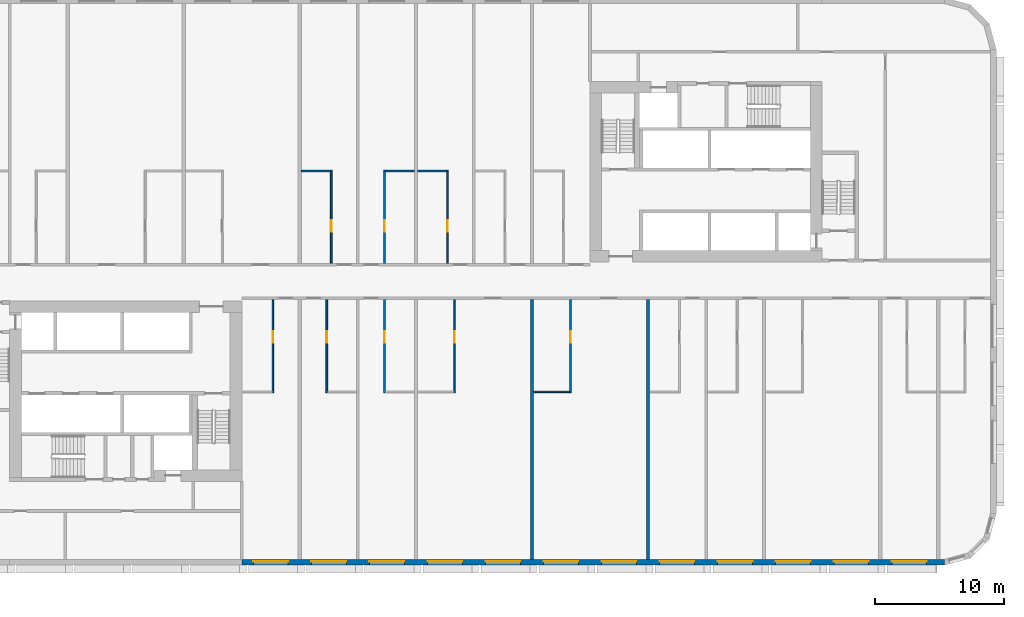
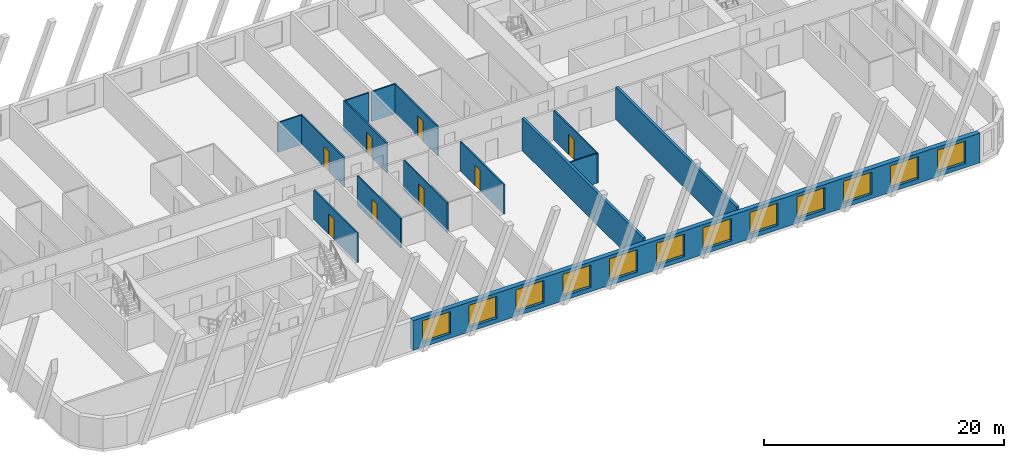
# One storey, part 4 of 13: 15 walls, 12 windows, 8 doors, 20 openings.
"""IFC4 building model written with IfcOpenShell, lengths in metres."""

from ifc_helpers import new_model, si_unit, direction, frame, frame_2d, origin, place, context, subcontext, project, spatial, rectangle, extrude, material, layer, layer_set, type_object, element, fill, save


model = new_model("IFC4")

# Units and contexts
model_context = context("Model", 3, precision=1e-05, world=origin(), true_north=direction((0.0, 1.0)))
body_context = subcontext(model_context, "Body", "Model", "MODEL_VIEW")
ifc_project = project(units=[si_unit("LENGTHUNIT", "METRE"), si_unit("AREAUNIT", "SQUARE_METRE"), si_unit("VOLUMEUNIT", "CUBIC_METRE"), si_unit("PLANEANGLEUNIT", "RADIAN"), si_unit("MASSUNIT", "GRAM", prefix="KILO")], contexts=[model_context])

# Site, building, storey
site_placement = place(None, origin())
site = spatial("IfcSite", under=ifc_project, at=site_placement, CompositionType="ELEMENT")
building_placement = place(site_placement, origin())
building = spatial("IfcBuilding", under=site, at=building_placement, Name="Kajstack Hotel Tower", CompositionType="ELEMENT")
storey_placement = place(building_placement, frame((0.0, 0.0, 69.89990234375)))
storey = spatial("IfcBuildingStorey", under=building, at=storey_placement, Name="L12", CompositionType="ELEMENT", Elevation=69.89990234375)

# Wall, openings, windows
ifc_material_1 = material(Name="Terracotta-faced brick masonry", Category="masonry")
ifc_layer_1 = layer(ifc_material_1, 0.449951171875)
ifc_layer_set_1 = layer_set([ifc_layer_1], Name="EW-TERRA")
wall_type_1 = type_object("IfcWallType", Name="EW-TERRA", PredefinedType="SOLIDWALL", material=ifc_layer_set_1)
wall_1_placement = place(storey_placement, frame((-13.5, -21.77490234375, 0.0), z_axis=(0.0, 0.0, 1.0), x_axis=(1.0, 0.0, 0.0)))
wall_1 = element("IfcWall", 1, at=wall_1_placement, inside=storey, type_object=wall_type_1, Name="E-wall-L12-03-02", PredefinedType="SOLIDWALL", context=body_context, shape_type="SweptSolid", body=[
    extrude(rectangle(XDim=54.5, YDim=0.449951171875, at=frame_2d((27.25, 0.0))), origin(), (0.0, 0.0, 1.0), 3.02001953125),
])
opening_1_placement = place(wall_1_placement, frame((0.89990234375, 0.0, 0.449951171875)))
opening_1 = element("IfcOpeningElement", 2, at=opening_1_placement, cuts=wall_1, Name="Opening W1", PredefinedType="OPENING", context=body_context, shape_type="SweptSolid", body=[
    extrude(rectangle(XDim=2.699951171875, YDim=2.25, at=frame_2d((1.35009765625, 1.125))), frame((0.0, 0.23486328125, 0.0), z_axis=(0.0, -1.0, 0.0), x_axis=(1.0, 0.0, 0.0)), (0.0, 0.0, 1.0), 0.469970703125),
])
opening_2_placement = place(wall_1_placement, frame((5.39990234375, 0.0, 0.449951171875)))
opening_2 = element("IfcOpeningElement", 3, at=opening_2_placement, cuts=wall_1, Name="Opening W1", PredefinedType="OPENING", context=body_context, shape_type="SweptSolid", body=[
    extrude(rectangle(XDim=2.699951171875, YDim=2.25, at=frame_2d((1.35009765625, 1.125))), frame((0.0, 0.23486328125, 0.0), z_axis=(0.0, -1.0, 0.0), x_axis=(1.0, 0.0, 0.0)), (0.0, 0.0, 1.0), 0.469970703125),
])
opening_3_placement = place(wall_1_placement, frame((9.89990234375, 0.0, 0.449951171875)))
opening_3 = element("IfcOpeningElement", 4, at=opening_3_placement, cuts=wall_1, Name="Opening W1", PredefinedType="OPENING", context=body_context, shape_type="SweptSolid", body=[
    extrude(rectangle(XDim=2.699951171875, YDim=2.25, at=frame_2d((1.35009765625, 1.125))), frame((0.0, 0.23486328125, 0.0), z_axis=(0.0, -1.0, 0.0), x_axis=(1.0, 0.0, 0.0)), (0.0, 0.0, 1.0), 0.469970703125),
])
opening_4_placement = place(wall_1_placement, frame((14.39990234375, 0.0, 0.449951171875)))
opening_4 = element("IfcOpeningElement", 5, at=opening_4_placement, cuts=wall_1, Name="Opening W1", PredefinedType="OPENING", context=body_context, shape_type="SweptSolid", body=[
    extrude(rectangle(XDim=2.699951171875, YDim=2.25, at=frame_2d((1.35009765625, 1.125))), frame((0.0, 0.23486328125, 0.0), z_axis=(0.0, -1.0, 0.0), x_axis=(1.0, 0.0, 0.0)), (0.0, 0.0, 1.0), 0.469970703125),
])
opening_5_placement = place(wall_1_placement, frame((18.89990234375, 0.0, 0.449951171875)))
opening_5 = element("IfcOpeningElement", 6, at=opening_5_placement, cuts=wall_1, Name="Opening W1", PredefinedType="OPENING", context=body_context, shape_type="SweptSolid", body=[
    extrude(rectangle(XDim=2.699951171875, YDim=2.25, at=frame_2d((1.35009765625, 1.125))), frame((0.0, 0.23486328125, 0.0), z_axis=(0.0, -1.0, 0.0), x_axis=(1.0, 0.0, 0.0)), (0.0, 0.0, 1.0), 0.469970703125),
])
opening_6_placement = place(wall_1_placement, frame((23.39990234375, 0.0, 0.449951171875)))
opening_6 = element("IfcOpeningElement", 7, at=opening_6_placement, cuts=wall_1, Name="Opening W1", PredefinedType="OPENING", context=body_context, shape_type="SweptSolid", body=[
    extrude(rectangle(XDim=2.699951171875, YDim=2.25, at=frame_2d((1.35009765625, 1.125))), frame((0.0, 0.23486328125, 0.0), z_axis=(0.0, -1.0, 0.0), x_axis=(1.0, 0.0, 0.0)), (0.0, 0.0, 1.0), 0.469970703125),
])
opening_7_placement = place(wall_1_placement, frame((27.89990234375, 0.0, 0.449951171875)))
opening_7 = element("IfcOpeningElement", 8, at=opening_7_placement, cuts=wall_1, Name="Opening W1", PredefinedType="OPENING", context=body_context, shape_type="SweptSolid", body=[
    extrude(rectangle(XDim=2.699951171875, YDim=2.25, at=frame_2d((1.35009765625, 1.125))), frame((0.0, 0.23486328125, 0.0), z_axis=(0.0, -1.0, 0.0), x_axis=(1.0, 0.0, 0.0)), (0.0, 0.0, 1.0), 0.469970703125),
])
opening_8_placement = place(wall_1_placement, frame((32.39990234375, 0.0, 0.449951171875)))
opening_8 = element("IfcOpeningElement", 9, at=opening_8_placement, cuts=wall_1, Name="Opening W1", PredefinedType="OPENING", context=body_context, shape_type="SweptSolid", body=[
    extrude(rectangle(XDim=2.699951171875, YDim=2.25, at=frame_2d((1.35009765625, 1.125))), frame((0.0, 0.23486328125, 0.0), z_axis=(0.0, -1.0, 0.0), x_axis=(1.0, 0.0, 0.0)), (0.0, 0.0, 1.0), 0.469970703125),
])
opening_9_placement = place(wall_1_placement, frame((36.89990234375, 0.0, 0.449951171875)))
opening_9 = element("IfcOpeningElement", 10, at=opening_9_placement, cuts=wall_1, Name="Opening W1", PredefinedType="OPENING", context=body_context, shape_type="SweptSolid", body=[
    extrude(rectangle(XDim=2.699951171875, YDim=2.25, at=frame_2d((1.35009765625, 1.125))), frame((0.0, 0.23486328125, 0.0), z_axis=(0.0, -1.0, 0.0), x_axis=(1.0, 0.0, 0.0)), (0.0, 0.0, 1.0), 0.469970703125),
])
opening_10_placement = place(wall_1_placement, frame((41.39990234375, 0.0, 0.449951171875)))
opening_10 = element("IfcOpeningElement", 11, at=opening_10_placement, cuts=wall_1, Name="Opening W1", PredefinedType="OPENING", context=body_context, shape_type="SweptSolid", body=[
    extrude(rectangle(XDim=2.699951171875, YDim=2.25, at=frame_2d((1.35009765625, 1.125))), frame((0.0, 0.23486328125, 0.0), z_axis=(0.0, -1.0, 0.0), x_axis=(1.0, 0.0, 0.0)), (0.0, 0.0, 1.0), 0.469970703125),
])
opening_11_placement = place(wall_1_placement, frame((45.89990234375, 0.0, 0.449951171875)))
opening_11 = element("IfcOpeningElement", 12, at=opening_11_placement, cuts=wall_1, Name="Opening W1", PredefinedType="OPENING", context=body_context, shape_type="SweptSolid", body=[
    extrude(rectangle(XDim=2.699951171875, YDim=2.25, at=frame_2d((1.35009765625, 1.125))), frame((0.0, 0.23486328125, 0.0), z_axis=(0.0, -1.0, 0.0), x_axis=(1.0, 0.0, 0.0)), (0.0, 0.0, 1.0), 0.469970703125),
])
opening_12_placement = place(wall_1_placement, frame((50.39990234375, 0.0, 0.449951171875)))
opening_12 = element("IfcOpeningElement", 13, at=opening_12_placement, cuts=wall_1, Name="Opening W1", PredefinedType="OPENING", context=body_context, shape_type="SweptSolid", body=[
    extrude(rectangle(XDim=2.699951171875, YDim=2.25, at=frame_2d((1.35009765625, 1.125))), frame((0.0, 0.23486328125, 0.0), z_axis=(0.0, -1.0, 0.0), x_axis=(1.0, 0.0, 0.0)), (0.0, 0.0, 1.0), 0.469970703125),
])
ifc_material_2 = material(Name="Timber-aluminium window, triple glazed", Category="wood")
window_type = type_object("IfcWindowType", Name="WG1", PartitioningType="SINGLE_PANEL", PredefinedType="WINDOW", material=ifc_material_2)
window_1_placement = place(opening_1_placement, origin())
window_1 = element("IfcWindow", 14, at=window_1_placement, inside=storey, type_object=window_type, Name="Window W1 L12-03", OverallHeight=2.25, OverallWidth=2.699951171875, PartitioningType="SINGLE_PANEL", PredefinedType="WINDOW", context=body_context, shape_type="SweptSolid", body=[
    extrude(rectangle(XDim=2.699951171875, YDim=2.25, at=frame_2d((1.35009765625, 1.125))), frame((0.0, 0.090087890625, 0.0), z_axis=(0.0, -1.0, 0.0), x_axis=(1.0, 0.0, 0.0)), (0.0, 0.0, 1.0), 0.06005859375),
])
fill(opening_1, window_1)
window_2_placement = place(opening_2_placement, origin())
window_2 = element("IfcWindow", 15, at=window_2_placement, inside=storey, type_object=window_type, Name="Window W1 L12-03", OverallHeight=2.25, OverallWidth=2.699951171875, PartitioningType="SINGLE_PANEL", PredefinedType="WINDOW", context=body_context, shape_type="SweptSolid", body=[
    extrude(rectangle(XDim=2.699951171875, YDim=2.25, at=frame_2d((1.35009765625, 1.125))), frame((0.0, 0.090087890625, 0.0), z_axis=(0.0, -1.0, 0.0), x_axis=(1.0, 0.0, 0.0)), (0.0, 0.0, 1.0), 0.06005859375),
])
fill(opening_2, window_2)
window_3_placement = place(opening_3_placement, origin())
window_3 = element("IfcWindow", 16, at=window_3_placement, inside=storey, type_object=window_type, Name="Window W1 L12-03", OverallHeight=2.25, OverallWidth=2.699951171875, PartitioningType="SINGLE_PANEL", PredefinedType="WINDOW", context=body_context, shape_type="SweptSolid", body=[
    extrude(rectangle(XDim=2.699951171875, YDim=2.25, at=frame_2d((1.35009765625, 1.125))), frame((0.0, 0.090087890625, 0.0), z_axis=(0.0, -1.0, 0.0), x_axis=(1.0, 0.0, 0.0)), (0.0, 0.0, 1.0), 0.06005859375),
])
fill(opening_3, window_3)
window_4_placement = place(opening_4_placement, origin())
window_4 = element("IfcWindow", 17, at=window_4_placement, inside=storey, type_object=window_type, Name="Window W1 L12-03", OverallHeight=2.25, OverallWidth=2.699951171875, PartitioningType="SINGLE_PANEL", PredefinedType="WINDOW", context=body_context, shape_type="SweptSolid", body=[
    extrude(rectangle(XDim=2.699951171875, YDim=2.25, at=frame_2d((1.35009765625, 1.125))), frame((0.0, 0.090087890625, 0.0), z_axis=(0.0, -1.0, 0.0), x_axis=(1.0, 0.0, 0.0)), (0.0, 0.0, 1.0), 0.06005859375),
])
fill(opening_4, window_4)
window_5_placement = place(opening_5_placement, origin())
window_5 = element("IfcWindow", 18, at=window_5_placement, inside=storey, type_object=window_type, Name="Window W1 L12-03", OverallHeight=2.25, OverallWidth=2.699951171875, PartitioningType="SINGLE_PANEL", PredefinedType="WINDOW", context=body_context, shape_type="SweptSolid", body=[
    extrude(rectangle(XDim=2.699951171875, YDim=2.25, at=frame_2d((1.35009765625, 1.125))), frame((0.0, 0.090087890625, 0.0), z_axis=(0.0, -1.0, 0.0), x_axis=(1.0, 0.0, 0.0)), (0.0, 0.0, 1.0), 0.06005859375),
])
fill(opening_5, window_5)
window_6_placement = place(opening_6_placement, origin())
window_6 = element("IfcWindow", 19, at=window_6_placement, inside=storey, type_object=window_type, Name="Window W1 L12-03", OverallHeight=2.25, OverallWidth=2.699951171875, PartitioningType="SINGLE_PANEL", PredefinedType="WINDOW", context=body_context, shape_type="SweptSolid", body=[
    extrude(rectangle(XDim=2.699951171875, YDim=2.25, at=frame_2d((1.35009765625, 1.125))), frame((0.0, 0.090087890625, 0.0), z_axis=(0.0, -1.0, 0.0), x_axis=(1.0, 0.0, 0.0)), (0.0, 0.0, 1.0), 0.06005859375),
])
fill(opening_6, window_6)
window_7_placement = place(opening_7_placement, origin())
window_7 = element("IfcWindow", 20, at=window_7_placement, inside=storey, type_object=window_type, Name="Window W1 L12-03", OverallHeight=2.25, OverallWidth=2.699951171875, PartitioningType="SINGLE_PANEL", PredefinedType="WINDOW", context=body_context, shape_type="SweptSolid", body=[
    extrude(rectangle(XDim=2.699951171875, YDim=2.25, at=frame_2d((1.35009765625, 1.125))), frame((0.0, 0.090087890625, 0.0), z_axis=(0.0, -1.0, 0.0), x_axis=(1.0, 0.0, 0.0)), (0.0, 0.0, 1.0), 0.06005859375),
])
fill(opening_7, window_7)
window_8_placement = place(opening_8_placement, origin())
window_8 = element("IfcWindow", 21, at=window_8_placement, inside=storey, type_object=window_type, Name="Window W1 L12-03", OverallHeight=2.25, OverallWidth=2.699951171875, PartitioningType="SINGLE_PANEL", PredefinedType="WINDOW", context=body_context, shape_type="SweptSolid", body=[
    extrude(rectangle(XDim=2.699951171875, YDim=2.25, at=frame_2d((1.35009765625, 1.125))), frame((0.0, 0.090087890625, 0.0), z_axis=(0.0, -1.0, 0.0), x_axis=(1.0, 0.0, 0.0)), (0.0, 0.0, 1.0), 0.06005859375),
])
fill(opening_8, window_8)
window_9_placement = place(opening_9_placement, origin())
window_9 = element("IfcWindow", 22, at=window_9_placement, inside=storey, type_object=window_type, Name="Window W1 L12-03", OverallHeight=2.25, OverallWidth=2.699951171875, PartitioningType="SINGLE_PANEL", PredefinedType="WINDOW", context=body_context, shape_type="SweptSolid", body=[
    extrude(rectangle(XDim=2.699951171875, YDim=2.25, at=frame_2d((1.35009765625, 1.125))), frame((0.0, 0.090087890625, 0.0), z_axis=(0.0, -1.0, 0.0), x_axis=(1.0, 0.0, 0.0)), (0.0, 0.0, 1.0), 0.06005859375),
])
fill(opening_9, window_9)
window_10_placement = place(opening_10_placement, origin())
window_10 = element("IfcWindow", 23, at=window_10_placement, inside=storey, type_object=window_type, Name="Window W1 L12-03", OverallHeight=2.25, OverallWidth=2.699951171875, PartitioningType="SINGLE_PANEL", PredefinedType="WINDOW", context=body_context, shape_type="SweptSolid", body=[
    extrude(rectangle(XDim=2.699951171875, YDim=2.25, at=frame_2d((1.35009765625, 1.125))), frame((0.0, 0.090087890625, 0.0), z_axis=(0.0, -1.0, 0.0), x_axis=(1.0, 0.0, 0.0)), (0.0, 0.0, 1.0), 0.06005859375),
])
fill(opening_10, window_10)
window_11_placement = place(opening_11_placement, origin())
window_11 = element("IfcWindow", 24, at=window_11_placement, inside=storey, type_object=window_type, Name="Window W1 L12-03", OverallHeight=2.25, OverallWidth=2.699951171875, PartitioningType="SINGLE_PANEL", PredefinedType="WINDOW", context=body_context, shape_type="SweptSolid", body=[
    extrude(rectangle(XDim=2.699951171875, YDim=2.25, at=frame_2d((1.35009765625, 1.125))), frame((0.0, 0.090087890625, 0.0), z_axis=(0.0, -1.0, 0.0), x_axis=(1.0, 0.0, 0.0)), (0.0, 0.0, 1.0), 0.06005859375),
])
fill(opening_11, window_11)
window_12_placement = place(opening_12_placement, origin())
window_12 = element("IfcWindow", 25, at=window_12_placement, inside=storey, type_object=window_type, Name="Window W1 L12-03", OverallHeight=2.25, OverallWidth=2.699951171875, PartitioningType="SINGLE_PANEL", PredefinedType="WINDOW", context=body_context, shape_type="SweptSolid", body=[
    extrude(rectangle(XDim=2.699951171875, YDim=2.25, at=frame_2d((1.35009765625, 1.125))), frame((0.0, 0.090087890625, 0.0), z_axis=(0.0, -1.0, 0.0), x_axis=(1.0, 0.0, 0.0)), (0.0, 0.0, 1.0), 0.06005859375),
])
fill(opening_12, window_12)

# Wall, opening, door
ifc_material_3 = material(Name="Gypsum board and tiled backer on steel studs", Category="steel")
ifc_layer_2 = layer(ifc_material_3, 0.125)
ifc_layer_set_2 = layer_set([ifc_layer_2], Name="En-suite wall 125")
wall_type_2 = type_object("IfcWallType", Name="En-suite wall 125", PredefinedType="PARTITIONING", material=ifc_layer_set_2)
wall_2_placement = place(storey_placement, frame((-6.56201171875, 1.39990234375, 0.0), z_axis=(0.0, 0.0, 1.0), x_axis=(0.0, 1.0, 0.0)))
wall_2 = element("IfcWall", 26, at=wall_2_placement, inside=storey, type_object=wall_type_2, Name="G-wall-L12-018", PredefinedType="PARTITIONING", context=body_context, shape_type="SweptSolid", body=[
    extrude(rectangle(XDim=7.22509765625, YDim=0.125, at=frame_2d((3.612548828125, 0.0))), origin(), (0.0, 0.0, 1.0), 3.02001953125),
])
opening_13_placement = place(wall_2_placement, frame((2.449951171875, 0.0, 0.0)))
opening_13 = element("IfcOpeningElement", 27, at=opening_13_placement, cuts=wall_2, Name="Opening 12014", PredefinedType="OPENING", context=body_context, shape_type="SweptSolid", body=[
    extrude(rectangle(XDim=0.89990234375, YDim=2.10009765625, at=frame_2d((0.449951171875, 1.050048828125))), frame((0.0, 0.072509765625, 0.0), z_axis=(0.0, -1.0, 0.0), x_axis=(1.0, 0.0, 0.0)), (0.0, 0.0, 1.0), 0.14501953125),
])
ifc_material_4 = material(Name="Painted timber door leaf", Category="wood")
door_type = type_object("IfcDoorType", Name="Room door 900", OperationType="SINGLE_SWING_LEFT", PredefinedType="DOOR", material=ifc_material_4)
door_1_placement = place(opening_13_placement, origin())
door_1 = element("IfcDoor", 28, at=door_1_placement, inside=storey, type_object=door_type, Name="G-door-L12-14", OperationType="SINGLE_SWING_LEFT", OverallHeight=2.10009765625, OverallWidth=0.89990234375, PredefinedType="DOOR", context=body_context, shape_type="SweptSolid", body=[
    extrude(rectangle(XDim=0.89990234375, YDim=2.10009765625, at=frame_2d((0.449951171875, 1.050048828125))), frame((0.0, 0.02490234375, 0.0), z_axis=(0.0, -1.0, 0.0), x_axis=(1.0, 0.0, 0.0)), (0.0, 0.0, 1.0), 0.050048828125),
])
fill(opening_13, door_1)

# Wall
wall_3_placement = place(storey_placement, frame((-8.875, 8.56201171875, 0.0), z_axis=(0.0, 0.0, 1.0), x_axis=(1.0, 0.0, 0.0)))
element("IfcWall", 29, at=wall_3_placement, inside=storey, type_object=wall_type_2, Name="G-wall-L12-019", PredefinedType="PARTITIONING", context=body_context, shape_type="SweptSolid", body=[
    extrude(rectangle(XDim=2.25, YDim=0.125, at=frame_2d((1.125, 0.0))), origin(), (0.0, 0.0, 1.0), 3.02001953125),
])

# Wall, opening, door
wall_4_placement = place(storey_placement, frame((-2.43798828125, 1.39990234375, 0.0), z_axis=(0.0, 0.0, 1.0), x_axis=(0.0, 1.0, 0.0)))
wall_4 = element("IfcWall", 30, at=wall_4_placement, inside=storey, type_object=wall_type_2, Name="G-wall-L12-020", PredefinedType="PARTITIONING", context=body_context, shape_type="SweptSolid", body=[
    extrude(rectangle(XDim=7.22509765625, YDim=0.125, at=frame_2d((3.612548828125, 0.0))), origin(), (0.0, 0.0, 1.0), 3.02001953125),
])
opening_14_placement = place(wall_4_placement, frame((2.449951171875, 0.0, 0.0)))
opening_14 = element("IfcOpeningElement", 31, at=opening_14_placement, cuts=wall_4, Name="Opening 12016", PredefinedType="OPENING", context=body_context, shape_type="SweptSolid", body=[
    extrude(rectangle(XDim=0.89990234375, YDim=2.10009765625, at=frame_2d((0.449951171875, 1.050048828125))), frame((0.0, 0.072509765625, 0.0), z_axis=(0.0, -1.0, 0.0), x_axis=(1.0, 0.0, 0.0)), (0.0, 0.0, 1.0), 0.14501953125),
])
door_2_placement = place(opening_14_placement, origin())
door_2 = element("IfcDoor", 32, at=door_2_placement, inside=storey, type_object=door_type, Name="G-door-L12-16", OperationType="SINGLE_SWING_LEFT", OverallHeight=2.10009765625, OverallWidth=0.89990234375, PredefinedType="DOOR", context=body_context, shape_type="SweptSolid", body=[
    extrude(rectangle(XDim=0.89990234375, YDim=2.10009765625, at=frame_2d((0.449951171875, 1.050048828125))), frame((0.0, 0.02490234375, 0.0), z_axis=(0.0, -1.0, 0.0), x_axis=(1.0, 0.0, 0.0)), (0.0, 0.0, 1.0), 0.050048828125),
])
fill(opening_14, door_2)

# Wall
wall_5_placement = place(storey_placement, frame((-2.375, 8.56201171875, 0.0), z_axis=(0.0, 0.0, 1.0), x_axis=(1.0, 0.0, 0.0)))
element("IfcWall", 33, at=wall_5_placement, inside=storey, type_object=wall_type_2, Name="G-wall-L12-021", PredefinedType="PARTITIONING", context=body_context, shape_type="SweptSolid", body=[
    extrude(rectangle(XDim=2.25, YDim=0.125, at=frame_2d((1.125, 0.0))), origin(), (0.0, 0.0, 1.0), 3.02001953125),
])

# Wall, opening, door
wall_6_placement = place(storey_placement, frame((2.43798828125, 1.39990234375, 0.0), z_axis=(0.0, 0.0, 1.0), x_axis=(0.0, 1.0, 0.0)))
wall_6 = element("IfcWall", 34, at=wall_6_placement, inside=storey, type_object=wall_type_2, Name="G-wall-L12-023", PredefinedType="PARTITIONING", context=body_context, shape_type="SweptSolid", body=[
    extrude(rectangle(XDim=7.22509765625, YDim=0.125, at=frame_2d((3.612548828125, 0.0))), origin(), (0.0, 0.0, 1.0), 3.02001953125),
])
opening_15_placement = place(wall_6_placement, frame((2.449951171875, 0.0, 0.0)))
opening_15 = element("IfcOpeningElement", 35, at=opening_15_placement, cuts=wall_6, Name="Opening 12018", PredefinedType="OPENING", context=body_context, shape_type="SweptSolid", body=[
    extrude(rectangle(XDim=0.89990234375, YDim=2.10009765625, at=frame_2d((0.449951171875, 1.050048828125))), frame((0.0, 0.072509765625, 0.0), z_axis=(0.0, -1.0, 0.0), x_axis=(1.0, 0.0, 0.0)), (0.0, 0.0, 1.0), 0.14501953125),
])
door_3_placement = place(opening_15_placement, origin())
door_3 = element("IfcDoor", 36, at=door_3_placement, inside=storey, type_object=door_type, Name="G-door-L12-18", OperationType="SINGLE_SWING_RIGHT", OverallHeight=2.10009765625, OverallWidth=0.89990234375, PredefinedType="DOOR", context=body_context, shape_type="SweptSolid", body=[
    extrude(rectangle(XDim=0.89990234375, YDim=2.10009765625, at=frame_2d((0.449951171875, 1.050048828125))), frame((0.0, 0.02490234375, 0.0), z_axis=(0.0, -1.0, 0.0), x_axis=(1.0, 0.0, 0.0)), (0.0, 0.0, 1.0), 0.050048828125),
])
fill(opening_15, door_3)

# Wall
wall_7_placement = place(storey_placement, frame((0.125, 8.56201171875, 0.0), z_axis=(0.0, 0.0, 1.0), x_axis=(1.0, 0.0, 0.0)))
element("IfcWall", 37, at=wall_7_placement, inside=storey, type_object=wall_type_2, Name="G-wall-L12-024", PredefinedType="PARTITIONING", context=body_context, shape_type="SweptSolid", body=[
    extrude(rectangle(XDim=2.25, YDim=0.125, at=frame_2d((1.125, 0.0))), origin(), (0.0, 0.0, 1.0), 3.02001953125),
])

# Wall, opening, door
wall_8_placement = place(storey_placement, frame((-11.087890625, -8.625, 0.0), z_axis=(0.0, 0.0, 1.0), x_axis=(0.0, 1.0, 0.0)))
wall_8 = element("IfcWall", 38, at=wall_8_placement, inside=storey, type_object=wall_type_2, Name="G-wall-L12-030", PredefinedType="PARTITIONING", context=body_context, shape_type="SweptSolid", body=[
    extrude(rectangle(XDim=7.22509765625, YDim=0.125, at=frame_2d((3.612548828125, 0.0))), origin(), (0.0, 0.0, 1.0), 3.02001953125),
])
opening_16_placement = place(wall_8_placement, frame((3.875, 0.0, 0.0)))
opening_16 = element("IfcOpeningElement", 39, at=opening_16_placement, cuts=wall_8, Name="Opening 12024", PredefinedType="OPENING", context=body_context, shape_type="SweptSolid", body=[
    extrude(rectangle(XDim=0.89990234375, YDim=2.10009765625, at=frame_2d((0.449951171875, 1.050048828125))), frame((0.0, 0.072509765625, 0.0), z_axis=(0.0, -1.0, 0.0), x_axis=(1.0, 0.0, 0.0)), (0.0, 0.0, 1.0), 0.14501953125),
])
door_4_placement = place(opening_16_placement, origin())
door_4 = element("IfcDoor", 40, at=door_4_placement, inside=storey, type_object=door_type, Name="G-door-L12-24", OperationType="SINGLE_SWING_LEFT", OverallHeight=2.10009765625, OverallWidth=0.89990234375, PredefinedType="DOOR", context=body_context, shape_type="SweptSolid", body=[
    extrude(rectangle(XDim=0.89990234375, YDim=2.10009765625, at=frame_2d((0.449951171875, 1.050048828125))), frame((0.0, 0.02490234375, 0.0), z_axis=(0.0, -1.0, 0.0), x_axis=(1.0, 0.0, 0.0)), (0.0, 0.0, 1.0), 0.050048828125),
])
fill(opening_16, door_4)

wall_9_placement = place(storey_placement, frame((-6.912109375, -8.625, 0.0), z_axis=(0.0, 0.0, 1.0), x_axis=(0.0, 1.0, 0.0)))
wall_9 = element("IfcWall", 41, at=wall_9_placement, inside=storey, type_object=wall_type_2, Name="G-wall-L12-033", PredefinedType="PARTITIONING", context=body_context, shape_type="SweptSolid", body=[
    extrude(rectangle(XDim=7.22509765625, YDim=0.125, at=frame_2d((3.612548828125, 0.0))), origin(), (0.0, 0.0, 1.0), 3.02001953125),
])
opening_17_placement = place(wall_9_placement, frame((3.875, 0.0, 0.0)))
opening_17 = element("IfcOpeningElement", 42, at=opening_17_placement, cuts=wall_9, Name="Opening 12026", PredefinedType="OPENING", context=body_context, shape_type="SweptSolid", body=[
    extrude(rectangle(XDim=0.89990234375, YDim=2.10009765625, at=frame_2d((0.449951171875, 1.050048828125))), frame((0.0, 0.072509765625, 0.0), z_axis=(0.0, -1.0, 0.0), x_axis=(1.0, 0.0, 0.0)), (0.0, 0.0, 1.0), 0.14501953125),
])
door_5_placement = place(opening_17_placement, origin())
door_5 = element("IfcDoor", 43, at=door_5_placement, inside=storey, type_object=door_type, Name="G-door-L12-26", OperationType="SINGLE_SWING_RIGHT", OverallHeight=2.10009765625, OverallWidth=0.89990234375, PredefinedType="DOOR", context=body_context, shape_type="SweptSolid", body=[
    extrude(rectangle(XDim=0.89990234375, YDim=2.10009765625, at=frame_2d((0.449951171875, 1.050048828125))), frame((0.0, 0.02490234375, 0.0), z_axis=(0.0, -1.0, 0.0), x_axis=(1.0, 0.0, 0.0)), (0.0, 0.0, 1.0), 0.050048828125),
])
fill(opening_17, door_5)

wall_10_placement = place(storey_placement, frame((-2.43798828125, -8.625, 0.0), z_axis=(0.0, 0.0, 1.0), x_axis=(0.0, 1.0, 0.0)))
wall_10 = element("IfcWall", 44, at=wall_10_placement, inside=storey, type_object=wall_type_2, Name="G-wall-L12-035", PredefinedType="PARTITIONING", context=body_context, shape_type="SweptSolid", body=[
    extrude(rectangle(XDim=7.22509765625, YDim=0.125, at=frame_2d((3.612548828125, 0.0))), origin(), (0.0, 0.0, 1.0), 3.02001953125),
])
opening_18_placement = place(wall_10_placement, frame((3.875, 0.0, 0.0)))
opening_18 = element("IfcOpeningElement", 45, at=opening_18_placement, cuts=wall_10, Name="Opening 12028", PredefinedType="OPENING", context=body_context, shape_type="SweptSolid", body=[
    extrude(rectangle(XDim=0.89990234375, YDim=2.10009765625, at=frame_2d((0.449951171875, 1.050048828125))), frame((0.0, 0.072509765625, 0.0), z_axis=(0.0, -1.0, 0.0), x_axis=(1.0, 0.0, 0.0)), (0.0, 0.0, 1.0), 0.14501953125),
])
door_6_placement = place(opening_18_placement, origin())
door_6 = element("IfcDoor", 46, at=door_6_placement, inside=storey, type_object=door_type, Name="G-door-L12-28", OperationType="SINGLE_SWING_RIGHT", OverallHeight=2.10009765625, OverallWidth=0.89990234375, PredefinedType="DOOR", context=body_context, shape_type="SweptSolid", body=[
    extrude(rectangle(XDim=0.89990234375, YDim=2.10009765625, at=frame_2d((0.449951171875, 1.050048828125))), frame((0.0, 0.02490234375, 0.0), z_axis=(0.0, -1.0, 0.0), x_axis=(1.0, 0.0, 0.0)), (0.0, 0.0, 1.0), 0.050048828125),
])
fill(opening_18, door_6)

wall_11_placement = place(storey_placement, frame((2.987060546875, -8.625, 0.0), z_axis=(0.0, 0.0, 1.0), x_axis=(0.0, 1.0, 0.0)))
wall_11 = element("IfcWall", 47, at=wall_11_placement, inside=storey, type_object=wall_type_2, Name="G-wall-L12-037", PredefinedType="PARTITIONING", context=body_context, shape_type="SweptSolid", body=[
    extrude(rectangle(XDim=7.22509765625, YDim=0.125, at=frame_2d((3.612548828125, 0.0))), origin(), (0.0, 0.0, 1.0), 3.02001953125),
])
opening_19_placement = place(wall_11_placement, frame((3.875, 0.0, 0.0)))
opening_19 = element("IfcOpeningElement", 48, at=opening_19_placement, cuts=wall_11, Name="Opening 12030", PredefinedType="OPENING", context=body_context, shape_type="SweptSolid", body=[
    extrude(rectangle(XDim=0.89990234375, YDim=2.10009765625, at=frame_2d((0.449951171875, 1.050048828125))), frame((0.0, 0.072509765625, 0.0), z_axis=(0.0, -1.0, 0.0), x_axis=(1.0, 0.0, 0.0)), (0.0, 0.0, 1.0), 0.14501953125),
])
door_7_placement = place(opening_19_placement, origin())
door_7 = element("IfcDoor", 49, at=door_7_placement, inside=storey, type_object=door_type, Name="G-door-L12-30", OperationType="SINGLE_SWING_LEFT", OverallHeight=2.10009765625, OverallWidth=0.89990234375, PredefinedType="DOOR", context=body_context, shape_type="SweptSolid", body=[
    extrude(rectangle(XDim=0.89990234375, YDim=2.10009765625, at=frame_2d((0.449951171875, 1.050048828125))), frame((0.0, 0.02490234375, 0.0), z_axis=(0.0, -1.0, 0.0), x_axis=(1.0, 0.0, 0.0)), (0.0, 0.0, 1.0), 0.050048828125),
])
fill(opening_19, door_7)

wall_12_placement = place(storey_placement, frame((11.988037109375, -8.625, 0.0), z_axis=(0.0, 0.0, 1.0), x_axis=(0.0, 1.0, 0.0)))
wall_12 = element("IfcWall", 50, at=wall_12_placement, inside=storey, type_object=wall_type_2, Name="G-wall-L12-039", PredefinedType="PARTITIONING", context=body_context, shape_type="SweptSolid", body=[
    extrude(rectangle(XDim=7.22509765625, YDim=0.125, at=frame_2d((3.612548828125, 0.0))), origin(), (0.0, 0.0, 1.0), 3.02001953125),
])
opening_20_placement = place(wall_12_placement, frame((3.875, 0.0, 0.0)))
opening_20 = element("IfcOpeningElement", 51, at=opening_20_placement, cuts=wall_12, Name="Opening 12032", PredefinedType="OPENING", context=body_context, shape_type="SweptSolid", body=[
    extrude(rectangle(XDim=0.89990234375, YDim=2.10009765625, at=frame_2d((0.449951171875, 1.050048828125))), frame((0.0, 0.072509765625, 0.0), z_axis=(0.0, -1.0, 0.0), x_axis=(1.0, 0.0, 0.0)), (0.0, 0.0, 1.0), 0.14501953125),
])
door_8_placement = place(opening_20_placement, origin())
door_8 = element("IfcDoor", 52, at=door_8_placement, inside=storey, type_object=door_type, Name="G-door-L12-32", OperationType="SINGLE_SWING_RIGHT", OverallHeight=2.10009765625, OverallWidth=0.89990234375, PredefinedType="DOOR", context=body_context, shape_type="SweptSolid", body=[
    extrude(rectangle(XDim=0.89990234375, YDim=2.10009765625, at=frame_2d((0.449951171875, 1.050048828125))), frame((0.0, 0.02490234375, 0.0), z_axis=(0.0, -1.0, 0.0), x_axis=(1.0, 0.0, 0.0)), (0.0, 0.0, 1.0), 0.050048828125),
])
fill(opening_20, door_8)

# Walls
wall_13_placement = place(storey_placement, frame((9.125, -8.56201171875, 0.0), z_axis=(0.0, 0.0, 1.0), x_axis=(1.0, 0.0, 0.0)))
element("IfcWall", 53, at=wall_13_placement, inside=storey, type_object=wall_type_2, Name="G-wall-L12-040", PredefinedType="PARTITIONING", context=body_context, shape_type="SweptSolid", body=[
    extrude(rectangle(XDim=2.800048828125, YDim=0.125, at=frame_2d((1.39990234375, 0.0))), origin(), (0.0, 0.0, 1.0), 3.02001953125),
])
ifc_material_5 = material(Name="Concrete C60/75", Category="concrete")
ifc_layer_3 = layer(ifc_material_5, 0.25)
ifc_layer_set_3 = layer_set([ifc_layer_3], Name="RC cross wall 250 C60/75")
wall_type_3 = type_object("IfcWallType", Name="RC cross wall 250 C60/75", PredefinedType="SHEAR", material=ifc_layer_set_3)
for number, where, z_axis, x_axis, name in (
    (54, (9.0, -21.5400390625, 0.0), (0.0, 0.0, 1.0), (0.0, 1.0, 0.0), "S-wall-L12-09"),
    (55, (18.0, -21.5400390625, 0.0), (0.0, 0.0, 1.0), (0.0, 1.0, 0.0), "S-wall-L12-11"),
):
    element("IfcWall", number, at=place(storey_placement, frame(where, z_axis=z_axis, x_axis=x_axis)), inside=storey, type_object=wall_type_3, Name=name, PredefinedType="SHEAR", context=body_context, shape_type="SweptSolid", body=[
        extrude(rectangle(XDim=20.14013671875, YDim=0.25, at=frame_2d((10.070068359375, 0.0))), origin(), (0.0, 0.0, 1.0), 3.300048828125),
    ])

save(model, "model.ifc")
